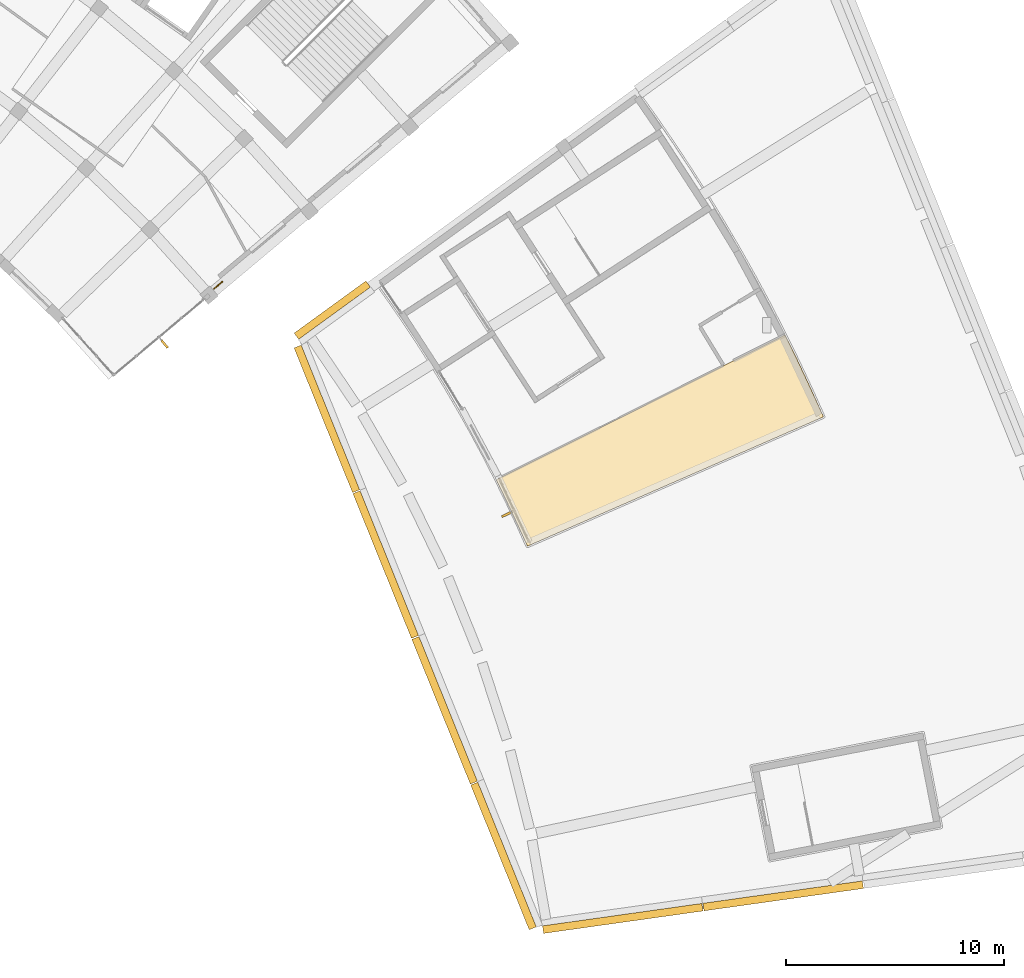
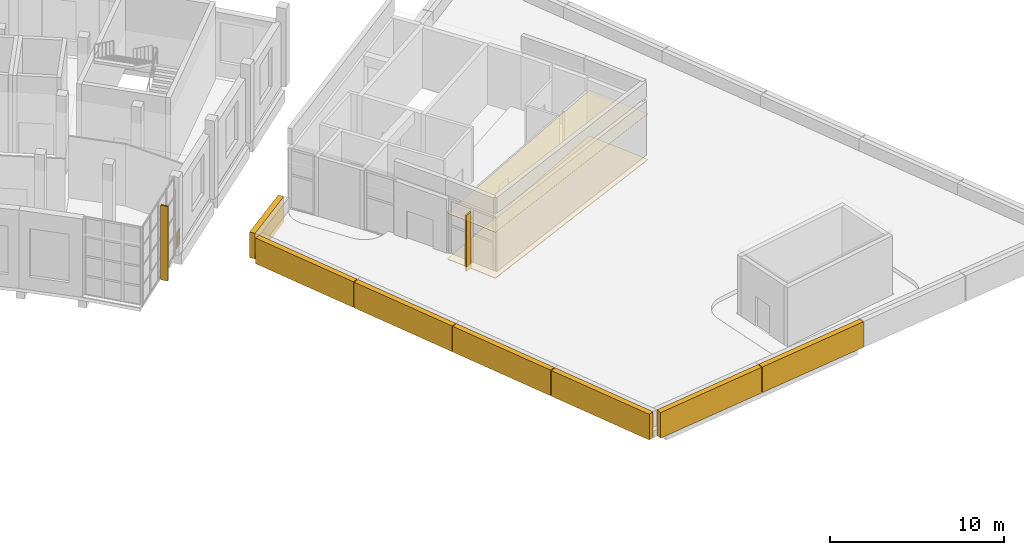
# One storey, part 125 of 132: 9 coverings, 2 shading devices, 1 railing.
"""IFC4 building model written with IfcOpenShell, lengths in metres."""

from ifc_helpers import new_model, si_unit, direction, frame, origin, origin_2d, place, context, subcontext, project, spatial, polyline, rectangle, circle, outline, extrude, material, layer, layer_set, type_object, element, save


model = new_model("IFC4")

# Units and contexts
model_context = context("Model", 3, precision=1e-05, world=origin(), true_north=direction((0.0, 1.0)))
body_context = subcontext(model_context, "Body", "Model", "MODEL_VIEW")
ifc_project = project(units=[si_unit("LENGTHUNIT", "METRE"), si_unit("AREAUNIT", "SQUARE_METRE"), si_unit("VOLUMEUNIT", "CUBIC_METRE"), si_unit("PLANEANGLEUNIT", "RADIAN"), si_unit("MASSUNIT", "GRAM", prefix="KILO")], contexts=[model_context])

# Site, building, storey
site_placement = place(None, origin())
site = spatial("IfcSite", under=ifc_project, at=site_placement, CompositionType="ELEMENT")
building_placement = place(site_placement, origin())
building = spatial("IfcBuilding", under=site, at=building_placement, Name="Lunette Opera House", CompositionType="ELEMENT")
storey_placement = place(building_placement, frame((0.0, 0.0, 17.0)))
storey = spatial("IfcBuildingStorey", under=building, at=storey_placement, Name="L03", CompositionType="ELEMENT", Elevation=17.0)

# Railing
ifc_material_1 = material(Name="Steel S355", Category="steel")
railing_type = type_object("IfcRailingType", Name="DECK GUARD 1100", PredefinedType="GUARDRAIL", material=ifc_material_1)
railing_placement = place(storey_placement, frame((140.659912109375, 37.5791015625, 0.0)))
element("IfcRailing", 1, at=railing_placement, inside=storey, type_object=railing_type, Name="Deck guard 022", PredefinedType="GUARDRAIL", context=body_context, shape_type="SweptSolid", body=[
    extrude(circle(Radius=0.02392578125, at=origin_2d()), frame((0.0, 0.0, 1.076171875), z_axis=(0.767567213213, 0.64096846506, 0.0), x_axis=(-0.64096846506, 0.767567213213, 0.0)), (0.0, 0.0, 1.0), 0.244873046875),
    extrude(circle(Radius=0.02392578125, at=origin_2d()), frame((0.18798828125, 0.156982421875, 1.076171875), z_axis=(0.765606918818, 0.643308670747, 0.0), x_axis=(-0.643308670747, 0.765606918818, 0.0)), (0.0, 0.0, 1.0), 0.24560546875),
    extrude(circle(Radius=0.02099609375, at=origin_2d()), origin(), (0.0, 0.0, 1.0), 1.052001953125),
    extrude(circle(Radius=0.02099609375, at=origin_2d()), frame((0.18798828125, 0.156982421875, 0.0)), (0.0, 0.0, 1.0), 1.052001953125),
    extrude(circle(Radius=0.02099609375, at=origin_2d()), frame((0.3759765625, 0.31494140625, 0.0)), (0.0, 0.0, 1.0), 1.052001953125),
])

# Shading devices
ifc_material_2 = material(Name="Powder-coated aluminium", Category="aluminium")
shading_device_type = type_object("IfcShadingDeviceType", Name="SOLAR FIN 100 X 450", PredefinedType="USERDEFINED", material=ifc_material_2)
shading_device_1_placement = place(storey_placement, frame((138.39208984375, 35.04296875, 0.115234375), z_axis=(0.0, 0.0, 1.0), x_axis=(0.642839751189, -0.76600068818, 0.0)))
element("IfcShadingDevice", 2, at=shading_device_1_placement, inside=storey, type_object=shading_device_type, Name="Solar fin FC-X2178 2", ObjectType="SOLAR FIN", PredefinedType="USERDEFINED", context=body_context, shape_type="SweptSolid", body=[
    extrude(rectangle(XDim=0.449951171875, YDim=0.10009765625, at=origin_2d()), origin(), (0.0, 0.0, 1.0), 5.235107421875),
])
shading_device_2_placement = place(storey_placement, frame((154.04296875, 27.22998046875, 0.114501953125), z_axis=(0.0, 0.0, 1.0), x_axis=(-0.904818877924, -0.425796662919, 0.0)))
element("IfcShadingDevice", 3, at=shading_device_2_placement, inside=storey, type_object=shading_device_type, Name="Solar fin SB-X2021 1", ObjectType="SOLAR FIN", PredefinedType="USERDEFINED", context=body_context, shape_type="SweptSolid", body=[
    extrude(rectangle(XDim=0.449951171875, YDim=0.10009765625, at=origin_2d()), origin(), (0.0, 0.0, 1.0), 3.93505859375),
])

# Coverings
ifc_material_3 = material(Name="Mineral fibre board")
ifc_layer_1 = layer(ifc_material_3, 0.014892578125)
ifc_layer_set_1 = layer_set([ifc_layer_1], Name="Mineral fibre board")
covering_type_1 = type_object("IfcCoveringType", Name="SUSPENDED ACOUSTIC CEILING 15", PredefinedType="CEILING", material=ifc_layer_set_1)
covering_1_placement = place(storey_placement, frame((0.0, 0.0, 3.235107421875)))
element("IfcCovering", 4, at=covering_1_placement, inside=storey, type_object=covering_type_1, Name="Ceiling Studio Garden Cafe", PredefinedType="CEILING", context=body_context, shape_type="SweptSolid", body=[
    extrude(outline(polyline([(167.385009765625, 34.303955078125), (167.991943359375, 33.010986328125), (168.575927734375, 31.7080078125), (155.013916015625, 25.781982421875), (154.5390625, 26.843017578125), (154.0458984375, 27.89404296875), (153.583984375, 28.83203125), (166.818115234375, 35.458984375), (167.385009765625, 34.303955078125)])), origin(), (0.0, 0.0, 1.0), 0.014892578125),
])
ifc_material_4 = material(Name="Timber", Category="wood")
ifc_layer_2 = layer(ifc_material_4, 0.0400390625)
ifc_layer_set_2 = layer_set([ifc_layer_2], Name="Timber")
covering_type_2 = type_object("IfcCoveringType", Name="TIMBER FLOOR FINISH 40", PredefinedType="FLOORING", material=ifc_layer_set_2)
covering_2_placement = place(storey_placement, origin())
element("IfcCovering", 5, at=covering_2_placement, inside=storey, type_object=covering_type_2, Name="Floor finish Studio Garden Cafe", PredefinedType="FLOORING", context=body_context, shape_type="SweptSolid", body=[
    extrude(outline(polyline([(167.385009765625, 34.303955078125), (167.991943359375, 33.010986328125), (168.575927734375, 31.7080078125), (155.013916015625, 25.781982421875), (154.5390625, 26.843017578125), (154.0458984375, 27.89404296875), (153.583984375, 28.83203125), (166.818115234375, 35.458984375), (167.385009765625, 34.303955078125)])), origin(), (0.0, 0.0, 1.0), 0.0400390625),
])
ifc_material_5 = material(Name="Zinc standing seam cladding")
ifc_layer_3 = layer(ifc_material_5, 0.35009765625)
ifc_layer_set_3 = layer_set([ifc_layer_3], Name="Zinc standing seam cladding")
covering_type_3 = type_object("IfcCoveringType", Name="ZINC ROOF FASCIA 350", PredefinedType="CLADDING", material=ifc_layer_set_3)
covering_3_placement = place(storey_placement, frame((145.826904296875, 31.615966796875, -0.7001953125), z_axis=(0.0, 0.0, 1.0), x_axis=(0.374669703951, -0.927158353757, 0.0)))
element("IfcCovering", 6, at=covering_3_placement, inside=storey, type_object=covering_type_3, Name="Studio roof fascia", PredefinedType="CLADDING", context=body_context, shape_type="SweptSolid", body=[
    extrude(rectangle(XDim=7.14794921875, YDim=0.35009765625, at=origin_2d()), origin(), (0.0, 0.0, 1.0), 1.800048828125),
])
for number, where, z_axis, x_axis, name in (
    (7, (148.52392578125, 24.94189453125, -0.7001953125), (0.0, 0.0, 1.0), (0.37462115754, -0.927177970146, 0.0), "Studio roof fascia"),
    (8, (151.220947265625, 18.26708984375, -0.7001953125), (0.0, 0.0, 1.0), (0.37462115754, -0.927177970146, 0.0), "Studio roof fascia"),
    (9, (153.91796875, 11.592041015625, -0.7001953125), (0.0, 0.0, 1.0), (0.374501405334, -0.92722634637, 0.0), "Studio roof fascia"),
):
    element("IfcCovering", number, at=place(storey_placement, frame(where, z_axis=z_axis, x_axis=x_axis)), inside=storey, type_object=covering_type_3, Name=name, PredefinedType="CLADDING", context=body_context, shape_type="SweptSolid", body=[
        extrude(rectangle(XDim=7.14892578125, YDim=0.35009765625, at=origin_2d()), origin(), (0.0, 0.0, 1.0), 1.800048828125),
    ])
covering_4_placement = place(storey_placement, frame((159.3798828125, 8.73095703125, -0.7001953125), z_axis=(0.0, 0.0, 1.0), x_axis=(0.99026758293, 0.139176557647, 0.0)))
element("IfcCovering", 10, at=covering_4_placement, inside=storey, type_object=covering_type_3, Name="Studio roof fascia", PredefinedType="CLADDING", context=body_context, shape_type="SweptSolid", body=[
    extrude(rectangle(XDim=7.3720703125, YDim=0.35009765625, at=origin_2d()), origin(), (0.0, 0.0, 1.0), 1.800048828125),
])
covering_5_placement = place(storey_placement, frame((166.73095703125, 9.763916015625, -0.7001953125), z_axis=(0.0, 0.0, 1.0), x_axis=(0.990270254745, 0.139157545848, 0.0)))
element("IfcCovering", 11, at=covering_5_placement, inside=storey, type_object=covering_type_3, Name="Studio roof fascia", PredefinedType="CLADDING", context=body_context, shape_type="SweptSolid", body=[
    extrude(rectangle(XDim=7.373046875, YDim=0.35009765625, at=origin_2d()), origin(), (0.0, 0.0, 1.0), 1.800048828125),
])
covering_6_placement = place(storey_placement, frame((146.074951171875, 36.596923828125, -0.7001953125), z_axis=(0.0, 0.0, 1.0), x_axis=(-0.808956463237, -0.587868557236, 0.0)))
element("IfcCovering", 12, at=covering_6_placement, inside=storey, type_object=covering_type_3, Name="Studio roof fascia", PredefinedType="CLADDING", context=body_context, shape_type="SweptSolid", body=[
    extrude(rectangle(XDim=4.06103515625, YDim=0.35009765625, at=origin_2d()), origin(), (0.0, 0.0, 1.0), 1.800048828125),
])

save(model, "model.ifc")
